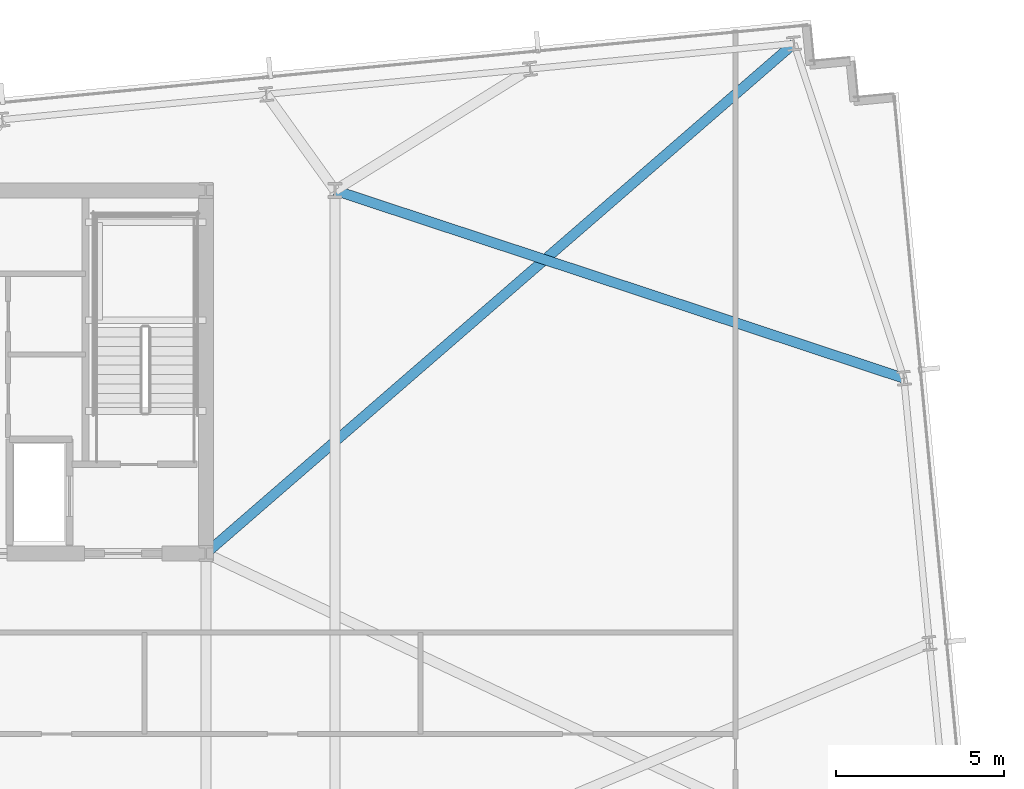
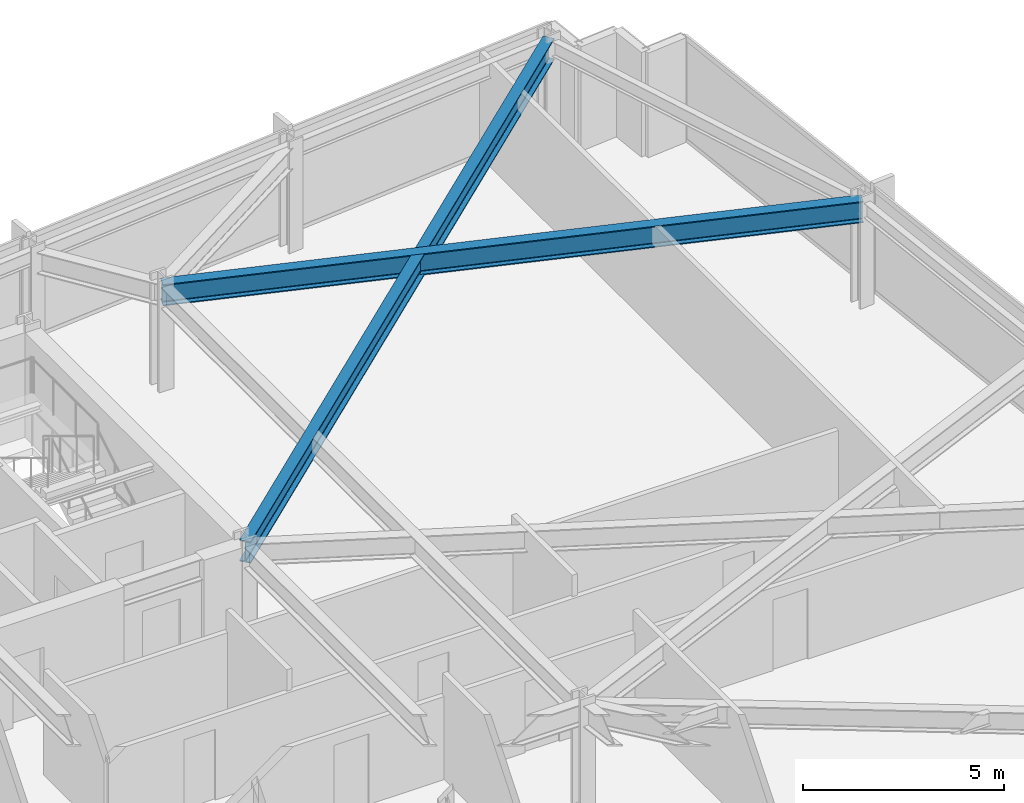
# One storey, part 22 of 32: 2 beams.
"""IFC4 building model written with IfcOpenShell, lengths in metres."""

import ifcopenshell
import ifcopenshell.guid

model = None  # the IFC model being written
_history = None  # IfcOwnerHistory: only IFC2X3 demands one
_inside = {}  # id of a spatial element -> (the spatial element, [elements in it])
_under = {}  # id of a project, library or spatial element -> (it, [spatial elements below it])
_declared = {}  # id of a project -> (the project, [libraries it declares])
_typed = {}  # id of a type object -> (the type object, [elements of that type])
_made_of = {}  # id of a material, layer set ... -> (it, [elements and type objects made of it])


def new_model(schema):
    """Start an empty IFC model of exactly this schema.

    Asked for "IFC4X3", IfcOpenShell would pick the latest addendum, in which some entities
    have other attributes; the version numbers below select the first issue.
    IFC2X3 requires an IfcOwnerHistory on every rooted entity: one is made here for all.
    """
    global model, _history
    if schema == "IFC4X3":
        model = ifcopenshell.file(schema_version=(4, 3, 0, 0))
    else:
        model = ifcopenshell.file(schema=schema)
    _inside.clear()
    _under.clear()
    _declared.clear()
    _typed.clear()
    _made_of.clear()
    _history = None
    if model.schema == "IFC2X3":
        org = make("IfcOrganization", Name="unknown")
        user = make(
            "IfcPersonAndOrganization",
            ThePerson=make("IfcPerson", FamilyName="unknown"),
            TheOrganization=org,
        )
        app = make(
            "IfcApplication",
            ApplicationDeveloper=org,
            Version="unknown",
            ApplicationFullName="unknown",
            ApplicationIdentifier="unknown",
        )
        _history = make(
            "IfcOwnerHistory",
            OwningUser=user,
            OwningApplication=app,
            ChangeAction="ADDED",
            CreationDate=0,
        )
    return model


def make(cls, **values):
    """One entity of the class cls with the attributes given. An attribute that is None is left unset."""
    return model.create_entity(
        cls, **{name: value for name, value in values.items() if value is not None}
    )


def rooted(cls, **values):
    """An entity with a GlobalId (a new one), such as an element, a storey or a relation."""
    return make(cls, GlobalId=ifcopenshell.guid.new(), OwnerHistory=_history, **values)


def si_unit(unit_type, name, prefix=None):
    """IfcSIUnit, for example si_unit("LENGTHUNIT", "METRE", prefix="MILLI")."""
    return make("IfcSIUnit", UnitType=unit_type, Prefix=prefix, Name=name)


def assignment(units):
    """IfcUnitAssignment: the units of a project."""
    return None if units is None else make("IfcUnitAssignment", Units=units)


def point(xyz):
    """IfcCartesianPoint."""
    return None if xyz is None else make("IfcCartesianPoint", Coordinates=xyz)


def direction(xyz):
    """IfcDirection."""
    return None if xyz is None else make("IfcDirection", DirectionRatios=xyz)


def frame(location, z_axis=None, x_axis=None):
    """IfcAxis2Placement3D, a coordinate frame: its origin and axes. An axis left out is left unset."""
    return make(
        "IfcAxis2Placement3D",
        Location=point(location),
        Axis=direction(z_axis),
        RefDirection=direction(x_axis),
    )


def frame_2d(location, x_axis=None):
    """IfcAxis2Placement2D, a coordinate frame in the plane: its origin and x axis."""
    return make(
        "IfcAxis2Placement2D", Location=point(location), RefDirection=direction(x_axis)
    )


def origin():
    """The frame at (0, 0, 0) with its axes left unset."""
    return frame((0.0, 0.0, 0.0))


def origin_2d():
    """The frame at (0, 0) in the plane with its x axis left unset."""
    return frame_2d((0.0, 0.0))


def place(relative_to, where):
    """IfcLocalPlacement: puts the frame where relative to a parent placement (None: the world)."""
    return make(
        "IfcLocalPlacement", PlacementRelTo=relative_to, RelativePlacement=where
    )


def context(
    kind, dimensions, precision=None, world=None, true_north=None, identifier=None
):
    """IfcGeometricRepresentationContext, for example the 3D "Model" context."""
    return make(
        "IfcGeometricRepresentationContext",
        ContextIdentifier=identifier,
        ContextType=kind,
        CoordinateSpaceDimension=dimensions,
        Precision=precision,
        WorldCoordinateSystem=world,
        TrueNorth=true_north,
    )


def subcontext(parent, identifier, kind, view, scale=None):
    """IfcGeometricRepresentationSubContext, for example "Body" below "Model"."""
    return make(
        "IfcGeometricRepresentationSubContext",
        ContextIdentifier=identifier,
        ContextType=kind,
        ParentContext=parent,
        TargetScale=scale,
        TargetView=view,
    )


def project(units=None, contexts=None):
    """IfcProject with its units and contexts."""
    return rooted(
        "IfcProject",
        Name="project",
        RepresentationContexts=contexts,
        UnitsInContext=assignment(units),
    )


def spatial(cls, under=None, at=None, **own):
    """A site, building, storey or space (cls), placed at a placement, below another one or the project."""
    s = rooted(cls, ObjectPlacement=at, **own)
    if under is not None:
        _under.setdefault(under.id(), (under, []))[1].append(s)
    return s


def profile(cls, at=None, kind="AREA", **sizes):
    """A parametric profile (cls). Its sizes go by their IFC names, for example OverallWidth=200.0."""
    return make(cls, ProfileType=kind, Position=at, **sizes)


def i_section(**sizes):
    """IfcIShapeProfileDef."""
    return profile("IfcIShapeProfileDef", **sizes)


def extrude(swept, where, along, depth):
    """IfcExtrudedAreaSolid: the profile swept, set in the frame where, extruded along a direction by depth."""
    return make(
        "IfcExtrudedAreaSolid",
        SweptArea=swept,
        Position=where,
        ExtrudedDirection=direction(along),
        Depth=depth,
    )


def shape(context_of_items, identifier, shape_type, items):
    """IfcShapeRepresentation: the items that make up one representation, for example the "Body"."""
    return make(
        "IfcShapeRepresentation",
        ContextOfItems=context_of_items,
        RepresentationIdentifier=identifier,
        RepresentationType=shape_type,
        Items=items,
    )


def material(Name=None, Category=None):
    """IfcMaterial."""
    return make("IfcMaterial", Name=Name, Category=Category)


def material_profile(
    of_material, cross_section, Name=None, Category=None, Priority=None
):
    """IfcMaterialProfile: a cross section and its material."""
    return make(
        "IfcMaterialProfile",
        Name=Name,
        Material=of_material,
        Profile=cross_section,
        Priority=Priority,
        Category=Category,
    )


def profile_set(profiles, Name=None, composite=None):
    """IfcMaterialProfileSet."""
    return make(
        "IfcMaterialProfileSet",
        Name=Name,
        MaterialProfiles=profiles,
        CompositeProfile=composite,
    )


def made_of(thing, what):
    """Note that an element or type object is made of a material, layer set ...; save() writes the relation."""
    if what is not None:
        _made_of.setdefault(what.id(), (what, []))[1].append(thing)
    return thing


def type_object(cls, material=None, **own):
    """A type object (cls), such as IfcWallType, which elements share."""
    return made_of(rooted(cls, **own), material)


def element(
    cls,
    number,
    at=None,
    inside=None,
    cuts=None,
    type_object=None,
    material=None,
    context=None,
    identifier="Body",
    shape_type=None,
    held_by="IfcProductDefinitionShape",
    body=None,
    shapes=None,
    **own,
):
    """One element of the class cls, such as IfcWall. Its Tag is "e" and its number.

    at: its placement. inside: the storey or other place that contains it. cuts: it is an
    opening in that element (IfcRelVoidsElement). A single representation is given by context,
    identifier, shape_type and body (its items); several are given by shapes. held_by: the class
    of the entity that holds the representations. save() writes the other relations.
    """
    e = rooted(cls, Tag="e%d" % number, ObjectPlacement=at, **own)
    if body is not None:
        shapes = [shape(context, identifier, shape_type, body)]
    if shapes is not None:
        e.Representation = make(held_by, Representations=shapes)
    if inside is not None:
        _inside.setdefault(inside.id(), (inside, []))[1].append(e)
    if cuts is not None:
        rooted(
            "IfcRelVoidsElement", RelatingBuildingElement=cuts, RelatedOpeningElement=e
        )
    if type_object is not None:
        _typed.setdefault(type_object.id(), (type_object, []))[1].append(e)
    return made_of(e, material)


def aggregate(whole, parts):
    """IfcRelAggregates: a whole, such as a stair, and the parts it consists of."""
    return rooted("IfcRelAggregates", RelatingObject=whole, RelatedObjects=parts)


def save(model, path):
    """Write the relations noted so far, then the file.

    IfcRelAggregates (storeys below a building ...), IfcRelContainedInSpatialStructure (elements
    in a storey), IfcRelDefinesByType, IfcRelAssociatesMaterial and IfcRelDeclares: one each for
    every whole, place, type object, material and project.
    """
    for whole, parts in _under.values():
        aggregate(whole, parts)
    for where, things in _inside.values():
        rooted(
            "IfcRelContainedInSpatialStructure",
            RelatedElements=things,
            RelatingStructure=where,
        )
    for kind, things in _typed.values():
        rooted("IfcRelDefinesByType", RelatedObjects=things, RelatingType=kind)
    for what, things in _made_of.values():
        rooted("IfcRelAssociatesMaterial", RelatedObjects=things, RelatingMaterial=what)
    for by, libraries in _declared.values():
        rooted("IfcRelDeclares", RelatingContext=by, RelatedDefinitions=libraries)
    model.write(path)


model = new_model("IFC4")

# Units and contexts
model_context = context("Model", 3, precision=1e-05, world=origin(), true_north=direction((0.0, 1.0)))
body_context = subcontext(model_context, "Body", "Model", "MODEL_VIEW")
ifc_project = project(units=[si_unit("LENGTHUNIT", "METRE"), si_unit("AREAUNIT", "SQUARE_METRE"), si_unit("VOLUMEUNIT", "CUBIC_METRE"), si_unit("PLANEANGLEUNIT", "RADIAN"), si_unit("MASSUNIT", "GRAM", prefix="KILO")], contexts=[model_context])

# Site, building, storey
site_placement = place(None, origin())
site = spatial("IfcSite", under=ifc_project, at=site_placement, CompositionType="ELEMENT")
building_placement = place(site_placement, origin())
building = spatial("IfcBuilding", under=site, at=building_placement, Name="Yelkora Congress Tower", CompositionType="ELEMENT")
storey_placement = place(building_placement, frame((0.0, 0.0, 130.5)))
storey = spatial("IfcBuildingStorey", under=building, at=storey_placement, Name="L35", CompositionType="ELEMENT", Elevation=130.5)

# Beams
ifc_material = material(Name="Steel S355J2", Category="steel")
ifc_material_profile = material_profile(ifc_material, i_section(OverallWidth=0.300048828125, OverallDepth=0.64990234375, WebThickness=0.01611328125, FlangeThickness=0.031005859375, FilletRadius=0.027099609375, at=origin_2d()), Name="HEB 650")
ifc_profile_set = profile_set([ifc_material_profile], Name="Steel S355J2")
beam_type = type_object("IfcBeamType", Name="BM-GIRD-HEB650", PredefinedType="BEAM", material=ifc_profile_set)
beam_1_placement = place(storey_placement, frame((71.252685546875, 50.568115234375, 2.85498046875), z_axis=(-0.755520317406, -0.655125217029, 0.0), x_axis=(0.655125217029, -0.755520317406, 0.0)))
element("IfcBeam", 1, at=beam_1_placement, inside=storey, type_object=beam_type, Name="L35 Primary Frame Girder N08", PredefinedType="BEAM", context=body_context, shape_type="SweptSolid", body=[
    extrude(i_section(OverallWidth=0.300048828125, OverallDepth=0.64990234375, WebThickness=0.01611328125, FlangeThickness=0.031005859375, FilletRadius=0.027099609375, at=origin_2d()), origin(), (0.0, 0.0, 1.0), 23.153076171875),
])
beam_2_placement = place(storey_placement, frame((74.522216796875, 40.610595703125, 2.85498046875), z_axis=(-0.949544183597, 0.313633294465, 0.0), x_axis=(-0.313633294465, -0.949544183597, 0.0)))
element("IfcBeam", 2, at=beam_2_placement, inside=storey, type_object=beam_type, Name="L35 Primary Frame Girder E03", PredefinedType="BEAM", context=body_context, shape_type="SweptSolid", body=[
    extrude(i_section(OverallWidth=0.300048828125, OverallDepth=0.64990234375, WebThickness=0.01611328125, FlangeThickness=0.031005859375, FilletRadius=0.027099609375, at=origin_2d()), origin(), (0.0, 0.0, 1.0), 17.8212890625),
])

save(model, "model.ifc")
